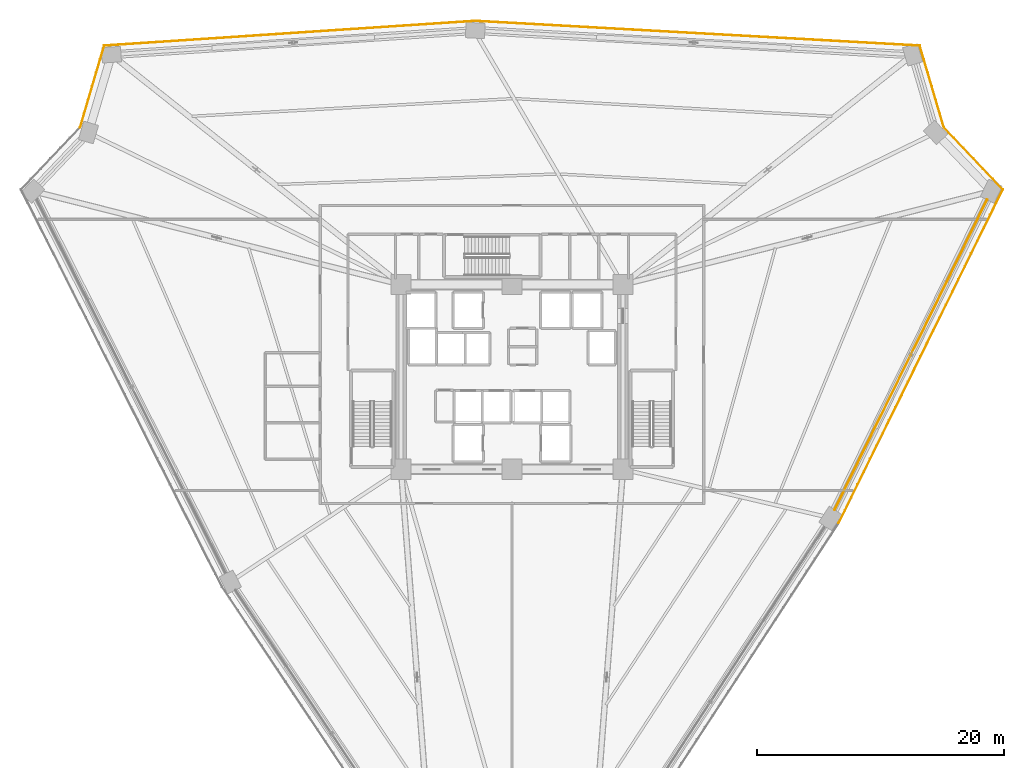
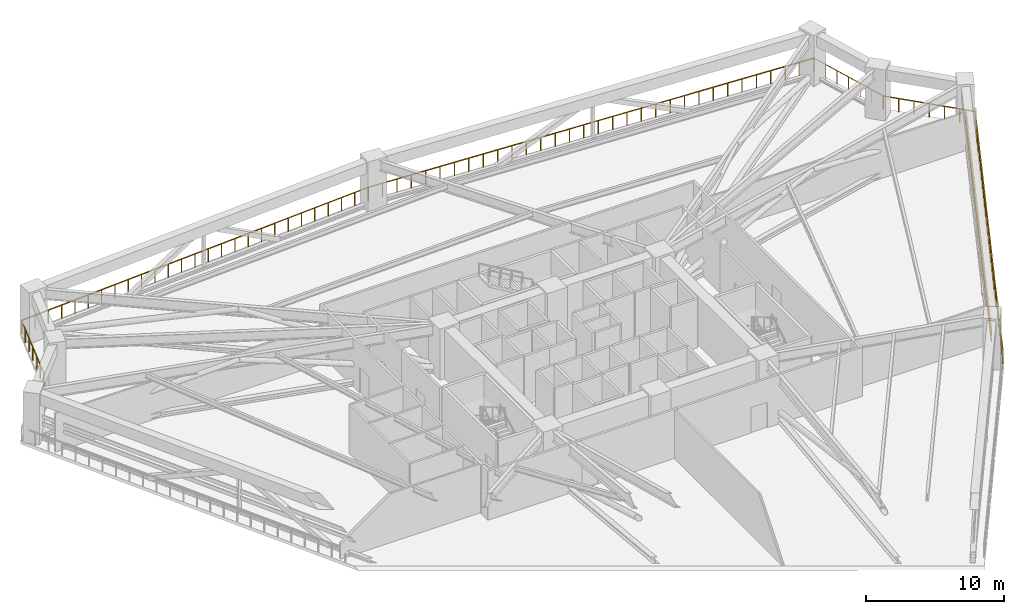
# One storey, part 25 of 25: 6 railings, 2 shading devices.
"""IFC4 building model written with IfcOpenShell, lengths in metres."""

from ifc_helpers import new_model, si_unit, direction, frame, origin, origin_2d, place, context, subcontext, project, spatial, rectangle, extrude, source, transform, mapped, material, material_profile, profile_set, type_object, element, save


model = new_model("IFC4")

# Units and contexts
model_context = context("Model", 3, precision=1e-05, world=origin(), true_north=direction((0.0, 1.0)))
body_context = subcontext(model_context, "Body", "Model", "MODEL_VIEW")
ifc_project = project(units=[si_unit("LENGTHUNIT", "METRE"), si_unit("AREAUNIT", "SQUARE_METRE"), si_unit("VOLUMEUNIT", "CUBIC_METRE"), si_unit("PLANEANGLEUNIT", "RADIAN"), si_unit("MASSUNIT", "GRAM", prefix="KILO")], contexts=[model_context])

# Site, building, storey
site_placement = place(None, origin())
site = spatial("IfcSite", under=ifc_project, at=site_placement, CompositionType="ELEMENT")
building_placement = place(site_placement, origin())
building = spatial("IfcBuilding", under=site, at=building_placement, Name="Liaohun Quay Tower", CompositionType="ELEMENT")
storey_placement = place(building_placement, frame((0.0, 0.0, 47.25)))
storey = spatial("IfcBuildingStorey", under=building, at=storey_placement, Name="L12", CompositionType="ELEMENT", Elevation=47.25)

# Railings
ifc_material_1 = material(Name="Galvanised and powder-coated steel", Category="steel")
railing_type = type_object("IfcRailingType", Name="RLG-GUARD-EXT", PredefinedType="GUARDRAIL", material=ifc_material_1)
railing_1_placement = place(storey_placement, frame((24.9541015625, 74.23388671875, 0.0)))
element("IfcRailing", 1, at=railing_1_placement, inside=storey, type_object=railing_type, Name="L12 Open Refuge Band Perimeter Guardrail 04", PredefinedType="GUARDRAIL", context=body_context, shape_type="SweptSolid", body=[
    extrude(rectangle(XDim=0.048095703125, YDim=0.048095703125, at=origin_2d()), frame((0.0, 0.0, 1.17578125), z_axis=(0.282772994679, 0.959186860565, 0.0), x_axis=(-0.959186860565, 0.282772994679, 0.0)), (0.0, 0.0, 1.0), 6.927734375),
    extrude(rectangle(XDim=0.0419921875, YDim=0.0419921875, at=origin_2d()), origin(), (0.0, 0.0, 1.0), 1.15185546875),
    extrude(rectangle(XDim=0.0419921875, YDim=0.0419921875, at=origin_2d()), frame((0.326416015625, 1.107421875, 0.0)), (0.0, 0.0, 1.0), 1.15185546875),
    extrude(rectangle(XDim=0.0419921875, YDim=0.0419921875, at=origin_2d()), frame((0.653076171875, 2.215087890625, 0.0)), (0.0, 0.0, 1.0), 1.15185546875),
    extrude(rectangle(XDim=0.0419921875, YDim=0.0419921875, at=origin_2d()), frame((0.9794921875, 3.322509765625, 0.0)), (0.0, 0.0, 1.0), 1.15185546875),
    extrude(rectangle(XDim=0.0419921875, YDim=0.0419921875, at=origin_2d()), frame((1.305908203125, 4.429931640625, 0.0)), (0.0, 0.0, 1.0), 1.15185546875),
    extrude(rectangle(XDim=0.0419921875, YDim=0.0419921875, at=origin_2d()), frame((1.632568359375, 5.53759765625, 0.0)), (0.0, 0.0, 1.0), 1.15185546875),
    extrude(rectangle(XDim=0.0419921875, YDim=0.0419921875, at=origin_2d()), frame((1.958984375, 6.64501953125, 0.0)), (0.0, 0.0, 1.0), 1.15185546875),
])
railing_2_placement = place(storey_placement, frame((26.9130859375, 80.87890625, 0.0)))
element("IfcRailing", 2, at=railing_2_placement, inside=storey, type_object=railing_type, Name="L12 Open Refuge Band Perimeter Guardrail 05", PredefinedType="GUARDRAIL", context=body_context, shape_type="SweptSolid", body=[
    extrude(rectangle(XDim=0.048095703125, YDim=0.048095703125, at=origin_2d()), frame((0.0, 0.0, 1.17578125), z_axis=(0.997791276332, 0.066427169703, 0.0), x_axis=(-0.066427169703, 0.997791276332, 0.0)), (0.0, 0.0, 1.0), 30.170654296875),
    extrude(rectangle(XDim=0.0419921875, YDim=0.0419921875, at=origin_2d()), origin(), (0.0, 0.0, 1.0), 1.15185546875),
    extrude(rectangle(XDim=0.0419921875, YDim=0.0419921875, at=origin_2d()), frame((1.157958984375, 0.0771484375, 0.0)), (0.0, 0.0, 1.0), 1.15185546875),
    extrude(rectangle(XDim=0.0419921875, YDim=0.0419921875, at=origin_2d()), frame((2.315673828125, 0.154052734375, 0.0)), (0.0, 0.0, 1.0), 1.15185546875),
    extrude(rectangle(XDim=0.0419921875, YDim=0.0419921875, at=origin_2d()), frame((3.4736328125, 0.231201171875, 0.0)), (0.0, 0.0, 1.0), 1.15185546875),
    extrude(rectangle(XDim=0.0419921875, YDim=0.0419921875, at=origin_2d()), frame((4.63134765625, 0.308349609375, 0.0)), (0.0, 0.0, 1.0), 1.15185546875),
    extrude(rectangle(XDim=0.0419921875, YDim=0.0419921875, at=origin_2d()), frame((5.789306640625, 0.385498046875, 0.0)), (0.0, 0.0, 1.0), 1.15185546875),
    extrude(rectangle(XDim=0.0419921875, YDim=0.0419921875, at=origin_2d()), frame((6.947021484375, 0.46240234375, 0.0)), (0.0, 0.0, 1.0), 1.15185546875),
    extrude(rectangle(XDim=0.0419921875, YDim=0.0419921875, at=origin_2d()), frame((8.10498046875, 0.53955078125, 0.0)), (0.0, 0.0, 1.0), 1.15185546875),
    extrude(rectangle(XDim=0.0419921875, YDim=0.0419921875, at=origin_2d()), frame((9.2626953125, 0.61669921875, 0.0)), (0.0, 0.0, 1.0), 1.15185546875),
    extrude(rectangle(XDim=0.0419921875, YDim=0.0419921875, at=origin_2d()), frame((10.420654296875, 0.69384765625, 0.0)), (0.0, 0.0, 1.0), 1.15185546875),
    extrude(rectangle(XDim=0.0419921875, YDim=0.0419921875, at=origin_2d()), frame((11.578369140625, 0.770751953125, 0.0)), (0.0, 0.0, 1.0), 1.15185546875),
    extrude(rectangle(XDim=0.0419921875, YDim=0.0419921875, at=origin_2d()), frame((12.736328125, 0.847900390625, 0.0)), (0.0, 0.0, 1.0), 1.15185546875),
    extrude(rectangle(XDim=0.0419921875, YDim=0.0419921875, at=origin_2d()), frame((13.89404296875, 0.925048828125, 0.0)), (0.0, 0.0, 1.0), 1.15185546875),
    extrude(rectangle(XDim=0.0419921875, YDim=0.0419921875, at=origin_2d()), frame((15.052001953125, 1.001953125, 0.0)), (0.0, 0.0, 1.0), 1.15185546875),
    extrude(rectangle(XDim=0.0419921875, YDim=0.0419921875, at=origin_2d()), frame((16.2099609375, 1.0791015625, 0.0)), (0.0, 0.0, 1.0), 1.15185546875),
    extrude(rectangle(XDim=0.0419921875, YDim=0.0419921875, at=origin_2d()), frame((17.36767578125, 1.15625, 0.0)), (0.0, 0.0, 1.0), 1.15185546875),
    extrude(rectangle(XDim=0.0419921875, YDim=0.0419921875, at=origin_2d()), frame((18.525634765625, 1.2333984375, 0.0)), (0.0, 0.0, 1.0), 1.15185546875),
    extrude(rectangle(XDim=0.0419921875, YDim=0.0419921875, at=origin_2d()), frame((19.683349609375, 1.310302734375, 0.0)), (0.0, 0.0, 1.0), 1.15185546875),
    extrude(rectangle(XDim=0.0419921875, YDim=0.0419921875, at=origin_2d()), frame((20.84130859375, 1.387451171875, 0.0)), (0.0, 0.0, 1.0), 1.15185546875),
    extrude(rectangle(XDim=0.0419921875, YDim=0.0419921875, at=origin_2d()), frame((21.9990234375, 1.464599609375, 0.0)), (0.0, 0.0, 1.0), 1.15185546875),
    extrude(rectangle(XDim=0.0419921875, YDim=0.0419921875, at=origin_2d()), frame((23.156982421875, 1.541748046875, 0.0)), (0.0, 0.0, 1.0), 1.15185546875),
    extrude(rectangle(XDim=0.0419921875, YDim=0.0419921875, at=origin_2d()), frame((24.314697265625, 1.61865234375, 0.0)), (0.0, 0.0, 1.0), 1.15185546875),
    extrude(rectangle(XDim=0.0419921875, YDim=0.0419921875, at=origin_2d()), frame((25.47265625, 1.69580078125, 0.0)), (0.0, 0.0, 1.0), 1.15185546875),
    extrude(rectangle(XDim=0.0419921875, YDim=0.0419921875, at=origin_2d()), frame((26.63037109375, 1.77294921875, 0.0)), (0.0, 0.0, 1.0), 1.15185546875),
    extrude(rectangle(XDim=0.0419921875, YDim=0.0419921875, at=origin_2d()), frame((27.788330078125, 1.85009765625, 0.0)), (0.0, 0.0, 1.0), 1.15185546875),
    extrude(rectangle(XDim=0.0419921875, YDim=0.0419921875, at=origin_2d()), frame((28.946044921875, 1.927001953125, 0.0)), (0.0, 0.0, 1.0), 1.15185546875),
    extrude(rectangle(XDim=0.0419921875, YDim=0.0419921875, at=origin_2d()), frame((30.10400390625, 2.004150390625, 0.0)), (0.0, 0.0, 1.0), 1.15185546875),
])
railing_3_placement = place(storey_placement, frame((57.01708984375, 82.883056640625, 0.0)))
element("IfcRailing", 3, at=railing_3_placement, inside=storey, type_object=railing_type, Name="L12 Open Refuge Band Perimeter Guardrail 06", PredefinedType="GUARDRAIL", context=body_context, shape_type="SweptSolid", body=[
    extrude(rectangle(XDim=0.048095703125, YDim=0.048095703125, at=origin_2d()), frame((0.0, 0.0, 1.17578125), z_axis=(0.998458439543, -0.05550445482, 0.0), x_axis=(0.05550445482, 0.998458439543, 0.0)), (0.0, 0.0, 1.0), 36.12548828125),
    extrude(rectangle(XDim=0.0419921875, YDim=0.0419921875, at=origin_2d()), origin(), (0.0, 0.0, 1.0), 1.15185546875),
    extrude(rectangle(XDim=0.0419921875, YDim=0.0419921875, at=origin_2d()), frame((1.16357421875, -0.064697265625, 0.0)), (0.0, 0.0, 1.0), 1.15185546875),
    extrude(rectangle(XDim=0.0419921875, YDim=0.0419921875, at=origin_2d()), frame((2.3271484375, -0.12939453125, 0.0)), (0.0, 0.0, 1.0), 1.15185546875),
    extrude(rectangle(XDim=0.0419921875, YDim=0.0419921875, at=origin_2d()), frame((3.49072265625, -0.194091796875, 0.0)), (0.0, 0.0, 1.0), 1.15185546875),
    extrude(rectangle(XDim=0.0419921875, YDim=0.0419921875, at=origin_2d()), frame((4.654052734375, -0.2587890625, 0.0)), (0.0, 0.0, 1.0), 1.15185546875),
    extrude(rectangle(XDim=0.0419921875, YDim=0.0419921875, at=origin_2d()), frame((5.817626953125, -0.323486328125, 0.0)), (0.0, 0.0, 1.0), 1.15185546875),
    extrude(rectangle(XDim=0.0419921875, YDim=0.0419921875, at=origin_2d()), frame((6.981201171875, -0.38818359375, 0.0)), (0.0, 0.0, 1.0), 1.15185546875),
    extrude(rectangle(XDim=0.0419921875, YDim=0.0419921875, at=origin_2d()), frame((8.144775390625, -0.452880859375, 0.0)), (0.0, 0.0, 1.0), 1.15185546875),
    extrude(rectangle(XDim=0.0419921875, YDim=0.0419921875, at=origin_2d()), frame((9.308349609375, -0.517333984375, 0.0)), (0.0, 0.0, 1.0), 1.15185546875),
    extrude(rectangle(XDim=0.0419921875, YDim=0.0419921875, at=origin_2d()), frame((10.471923828125, -0.58203125, 0.0)), (0.0, 0.0, 1.0), 1.15185546875),
    extrude(rectangle(XDim=0.0419921875, YDim=0.0419921875, at=origin_2d()), frame((11.635498046875, -0.646728515625, 0.0)), (0.0, 0.0, 1.0), 1.15185546875),
    extrude(rectangle(XDim=0.0419921875, YDim=0.0419921875, at=origin_2d()), frame((12.799072265625, -0.71142578125, 0.0)), (0.0, 0.0, 1.0), 1.15185546875),
    extrude(rectangle(XDim=0.0419921875, YDim=0.0419921875, at=origin_2d()), frame((13.96240234375, -0.776123046875, 0.0)), (0.0, 0.0, 1.0), 1.15185546875),
    extrude(rectangle(XDim=0.0419921875, YDim=0.0419921875, at=origin_2d()), frame((15.1259765625, -0.8408203125, 0.0)), (0.0, 0.0, 1.0), 1.15185546875),
    extrude(rectangle(XDim=0.0419921875, YDim=0.0419921875, at=origin_2d()), frame((16.28955078125, -0.905517578125, 0.0)), (0.0, 0.0, 1.0), 1.15185546875),
    extrude(rectangle(XDim=0.0419921875, YDim=0.0419921875, at=origin_2d()), frame((17.453125, -0.97021484375, 0.0)), (0.0, 0.0, 1.0), 1.15185546875),
    extrude(rectangle(XDim=0.0419921875, YDim=0.0419921875, at=origin_2d()), frame((18.61669921875, -1.034912109375, 0.0)), (0.0, 0.0, 1.0), 1.15185546875),
    extrude(rectangle(XDim=0.0419921875, YDim=0.0419921875, at=origin_2d()), frame((19.7802734375, -1.099609375, 0.0)), (0.0, 0.0, 1.0), 1.15185546875),
    extrude(rectangle(XDim=0.0419921875, YDim=0.0419921875, at=origin_2d()), frame((20.94384765625, -1.164306640625, 0.0)), (0.0, 0.0, 1.0), 1.15185546875),
    extrude(rectangle(XDim=0.0419921875, YDim=0.0419921875, at=origin_2d()), frame((22.107421875, -1.22900390625, 0.0)), (0.0, 0.0, 1.0), 1.15185546875),
    extrude(rectangle(XDim=0.0419921875, YDim=0.0419921875, at=origin_2d()), frame((23.270751953125, -1.293701171875, 0.0)), (0.0, 0.0, 1.0), 1.15185546875),
    extrude(rectangle(XDim=0.0419921875, YDim=0.0419921875, at=origin_2d()), frame((24.434326171875, -1.3583984375, 0.0)), (0.0, 0.0, 1.0), 1.15185546875),
    extrude(rectangle(XDim=0.0419921875, YDim=0.0419921875, at=origin_2d()), frame((25.597900390625, -1.423095703125, 0.0)), (0.0, 0.0, 1.0), 1.15185546875),
    extrude(rectangle(XDim=0.0419921875, YDim=0.0419921875, at=origin_2d()), frame((26.761474609375, -1.48779296875, 0.0)), (0.0, 0.0, 1.0), 1.15185546875),
    extrude(rectangle(XDim=0.0419921875, YDim=0.0419921875, at=origin_2d()), frame((27.925048828125, -1.55224609375, 0.0)), (0.0, 0.0, 1.0), 1.15185546875),
    extrude(rectangle(XDim=0.0419921875, YDim=0.0419921875, at=origin_2d()), frame((29.088623046875, -1.616943359375, 0.0)), (0.0, 0.0, 1.0), 1.15185546875),
    extrude(rectangle(XDim=0.0419921875, YDim=0.0419921875, at=origin_2d()), frame((30.252197265625, -1.681640625, 0.0)), (0.0, 0.0, 1.0), 1.15185546875),
    extrude(rectangle(XDim=0.0419921875, YDim=0.0419921875, at=origin_2d()), frame((31.415771484375, -1.746337890625, 0.0)), (0.0, 0.0, 1.0), 1.15185546875),
    extrude(rectangle(XDim=0.0419921875, YDim=0.0419921875, at=origin_2d()), frame((32.5791015625, -1.81103515625, 0.0)), (0.0, 0.0, 1.0), 1.15185546875),
    extrude(rectangle(XDim=0.0419921875, YDim=0.0419921875, at=origin_2d()), frame((33.74267578125, -1.875732421875, 0.0)), (0.0, 0.0, 1.0), 1.15185546875),
    extrude(rectangle(XDim=0.0419921875, YDim=0.0419921875, at=origin_2d()), frame((34.90625, -1.9404296875, 0.0)), (0.0, 0.0, 1.0), 1.15185546875),
    extrude(rectangle(XDim=0.0419921875, YDim=0.0419921875, at=origin_2d()), frame((36.06982421875, -2.005126953125, 0.0)), (0.0, 0.0, 1.0), 1.15185546875),
])
railing_4_placement = place(storey_placement, frame((93.0869140625, 80.8779296875, 0.0)))
element("IfcRailing", 4, at=railing_4_placement, inside=storey, type_object=railing_type, Name="L12 Open Refuge Band Perimeter Guardrail 07", PredefinedType="GUARDRAIL", context=body_context, shape_type="SweptSolid", body=[
    extrude(rectangle(XDim=0.048095703125, YDim=0.048095703125, at=origin_2d()), frame((0.0, 0.0, 1.17578125), z_axis=(0.282811233485, -0.959175586749, 0.0), x_axis=(0.959175586749, 0.282811233485, 0.0)), (0.0, 0.0, 1.0), 6.9267578125),
    extrude(rectangle(XDim=0.0419921875, YDim=0.0419921875, at=origin_2d()), origin(), (0.0, 0.0, 1.0), 1.15185546875),
    extrude(rectangle(XDim=0.0419921875, YDim=0.0419921875, at=origin_2d()), frame((0.326416015625, -1.107421875, 0.0)), (0.0, 0.0, 1.0), 1.15185546875),
    extrude(rectangle(XDim=0.0419921875, YDim=0.0419921875, at=origin_2d()), frame((0.653076171875, -2.214599609375, 0.0)), (0.0, 0.0, 1.0), 1.15185546875),
    extrude(rectangle(XDim=0.0419921875, YDim=0.0419921875, at=origin_2d()), frame((0.9794921875, -3.322021484375, 0.0)), (0.0, 0.0, 1.0), 1.15185546875),
    extrude(rectangle(XDim=0.0419921875, YDim=0.0419921875, at=origin_2d()), frame((1.305908203125, -4.429443359375, 0.0)), (0.0, 0.0, 1.0), 1.15185546875),
    extrude(rectangle(XDim=0.0419921875, YDim=0.0419921875, at=origin_2d()), frame((1.632568359375, -5.53662109375, 0.0)), (0.0, 0.0, 1.0), 1.15185546875),
    extrude(rectangle(XDim=0.0419921875, YDim=0.0419921875, at=origin_2d()), frame((1.958984375, -6.64404296875, 0.0)), (0.0, 0.0, 1.0), 1.15185546875),
])
railing_5_placement = place(storey_placement, frame((95.0458984375, 74.23388671875, 0.0)))
element("IfcRailing", 5, at=railing_5_placement, inside=storey, type_object=railing_type, Name="L12 Open Refuge Band Perimeter Guardrail 08", PredefinedType="GUARDRAIL", context=body_context, shape_type="SweptSolid", body=[
    extrude(rectangle(XDim=0.048095703125, YDim=0.048095703125, at=origin_2d()), frame((0.0, 0.0, 1.17578125), z_axis=(0.689376186011, -0.72440352992, 0.0), x_axis=(0.72440352992, 0.689376186011, 0.0)), (0.0, 0.0, 1.0), 6.92822265625),
    extrude(rectangle(XDim=0.0419921875, YDim=0.0419921875, at=origin_2d()), origin(), (0.0, 0.0, 1.0), 1.15185546875),
    extrude(rectangle(XDim=0.0419921875, YDim=0.0419921875, at=origin_2d()), frame((0.7958984375, -0.83642578125, 0.0)), (0.0, 0.0, 1.0), 1.15185546875),
    extrude(rectangle(XDim=0.0419921875, YDim=0.0419921875, at=origin_2d()), frame((1.592041015625, -1.6728515625, 0.0)), (0.0, 0.0, 1.0), 1.15185546875),
    extrude(rectangle(XDim=0.0419921875, YDim=0.0419921875, at=origin_2d()), frame((2.38818359375, -2.50927734375, 0.0)), (0.0, 0.0, 1.0), 1.15185546875),
    extrude(rectangle(XDim=0.0419921875, YDim=0.0419921875, at=origin_2d()), frame((3.18408203125, -3.345947265625, 0.0)), (0.0, 0.0, 1.0), 1.15185546875),
    extrude(rectangle(XDim=0.0419921875, YDim=0.0419921875, at=origin_2d()), frame((3.97998046875, -4.182373046875, 0.0)), (0.0, 0.0, 1.0), 1.15185546875),
    extrude(rectangle(XDim=0.0419921875, YDim=0.0419921875, at=origin_2d()), frame((4.776123046875, -5.018798828125, 0.0)), (0.0, 0.0, 1.0), 1.15185546875),
])
railing_6_placement = place(storey_placement, frame((99.822021484375, 69.215087890625, 0.0)))
element("IfcRailing", 6, at=railing_6_placement, inside=storey, type_object=railing_type, Name="L12 Open Refuge Band Perimeter Guardrail 09", PredefinedType="GUARDRAIL", context=body_context, shape_type="SweptSolid", body=[
    extrude(rectangle(XDim=0.048095703125, YDim=0.048095703125, at=origin_2d()), frame((0.0, 0.0, 1.17578125), z_axis=(-0.441413758091, -0.897303680015, 0.0), x_axis=(0.897303680015, -0.441413758091, 0.0)), (0.0, 0.0, 1.0), 30.17138671875),
    extrude(rectangle(XDim=0.0419921875, YDim=0.0419921875, at=origin_2d()), origin(), (0.0, 0.0, 1.0), 1.15185546875),
    extrude(rectangle(XDim=0.0419921875, YDim=0.0419921875, at=origin_2d()), frame((-0.51220703125, -1.041259765625, 0.0)), (0.0, 0.0, 1.0), 1.15185546875),
    extrude(rectangle(XDim=0.0419921875, YDim=0.0419921875, at=origin_2d()), frame((-1.0244140625, -2.08251953125, 0.0)), (0.0, 0.0, 1.0), 1.15185546875),
    extrude(rectangle(XDim=0.0419921875, YDim=0.0419921875, at=origin_2d()), frame((-1.53662109375, -3.123779296875, 0.0)), (0.0, 0.0, 1.0), 1.15185546875),
    extrude(rectangle(XDim=0.0419921875, YDim=0.0419921875, at=origin_2d()), frame((-2.048828125, -4.1650390625, 0.0)), (0.0, 0.0, 1.0), 1.15185546875),
    extrude(rectangle(XDim=0.0419921875, YDim=0.0419921875, at=origin_2d()), frame((-2.561279296875, -5.206298828125, 0.0)), (0.0, 0.0, 1.0), 1.15185546875),
    extrude(rectangle(XDim=0.0419921875, YDim=0.0419921875, at=origin_2d()), frame((-3.073486328125, -6.24755859375, 0.0)), (0.0, 0.0, 1.0), 1.15185546875),
    extrude(rectangle(XDim=0.0419921875, YDim=0.0419921875, at=origin_2d()), frame((-3.585693359375, -7.288818359375, 0.0)), (0.0, 0.0, 1.0), 1.15185546875),
    extrude(rectangle(XDim=0.0419921875, YDim=0.0419921875, at=origin_2d()), frame((-4.097900390625, -8.330078125, 0.0)), (0.0, 0.0, 1.0), 1.15185546875),
    extrude(rectangle(XDim=0.0419921875, YDim=0.0419921875, at=origin_2d()), frame((-4.610107421875, -9.371337890625, 0.0)), (0.0, 0.0, 1.0), 1.15185546875),
    extrude(rectangle(XDim=0.0419921875, YDim=0.0419921875, at=origin_2d()), frame((-5.122314453125, -10.41259765625, 0.0)), (0.0, 0.0, 1.0), 1.15185546875),
    extrude(rectangle(XDim=0.0419921875, YDim=0.0419921875, at=origin_2d()), frame((-5.634521484375, -11.453857421875, 0.0)), (0.0, 0.0, 1.0), 1.15185546875),
    extrude(rectangle(XDim=0.0419921875, YDim=0.0419921875, at=origin_2d()), frame((-6.146728515625, -12.4951171875, 0.0)), (0.0, 0.0, 1.0), 1.15185546875),
    extrude(rectangle(XDim=0.0419921875, YDim=0.0419921875, at=origin_2d()), frame((-6.6591796875, -13.53662109375, 0.0)), (0.0, 0.0, 1.0), 1.15185546875),
    extrude(rectangle(XDim=0.0419921875, YDim=0.0419921875, at=origin_2d()), frame((-7.17138671875, -14.577880859375, 0.0)), (0.0, 0.0, 1.0), 1.15185546875),
    extrude(rectangle(XDim=0.0419921875, YDim=0.0419921875, at=origin_2d()), frame((-7.68359375, -15.619140625, 0.0)), (0.0, 0.0, 1.0), 1.15185546875),
    extrude(rectangle(XDim=0.0419921875, YDim=0.0419921875, at=origin_2d()), frame((-8.19580078125, -16.660400390625, 0.0)), (0.0, 0.0, 1.0), 1.15185546875),
    extrude(rectangle(XDim=0.0419921875, YDim=0.0419921875, at=origin_2d()), frame((-8.7080078125, -17.70166015625, 0.0)), (0.0, 0.0, 1.0), 1.15185546875),
    extrude(rectangle(XDim=0.0419921875, YDim=0.0419921875, at=origin_2d()), frame((-9.22021484375, -18.742919921875, 0.0)), (0.0, 0.0, 1.0), 1.15185546875),
    extrude(rectangle(XDim=0.0419921875, YDim=0.0419921875, at=origin_2d()), frame((-9.732421875, -19.7841796875, 0.0)), (0.0, 0.0, 1.0), 1.15185546875),
    extrude(rectangle(XDim=0.0419921875, YDim=0.0419921875, at=origin_2d()), frame((-10.24462890625, -20.825439453125, 0.0)), (0.0, 0.0, 1.0), 1.15185546875),
    extrude(rectangle(XDim=0.0419921875, YDim=0.0419921875, at=origin_2d()), frame((-10.7568359375, -21.86669921875, 0.0)), (0.0, 0.0, 1.0), 1.15185546875),
    extrude(rectangle(XDim=0.0419921875, YDim=0.0419921875, at=origin_2d()), frame((-11.269287109375, -22.907958984375, 0.0)), (0.0, 0.0, 1.0), 1.15185546875),
    extrude(rectangle(XDim=0.0419921875, YDim=0.0419921875, at=origin_2d()), frame((-11.781494140625, -23.94921875, 0.0)), (0.0, 0.0, 1.0), 1.15185546875),
    extrude(rectangle(XDim=0.0419921875, YDim=0.0419921875, at=origin_2d()), frame((-12.293701171875, -24.990478515625, 0.0)), (0.0, 0.0, 1.0), 1.15185546875),
    extrude(rectangle(XDim=0.0419921875, YDim=0.0419921875, at=origin_2d()), frame((-12.805908203125, -26.03173828125, 0.0)), (0.0, 0.0, 1.0), 1.15185546875),
    extrude(rectangle(XDim=0.0419921875, YDim=0.0419921875, at=origin_2d()), frame((-13.318115234375, -27.072998046875, 0.0)), (0.0, 0.0, 1.0), 1.15185546875),
])

# Shading devices
ifc_material_2 = material(Name="Fluorocarbon-coated aluminium", Category="aluminium")
ifc_material_profile = material_profile(ifc_material_2, rectangle(XDim=0.06494140625, YDim=0.320068359375, at=origin_2d()), Name="ALU-LVR-320x65")
ifc_profile_set = profile_set([ifc_material_profile], Name="Fluorocarbon-coated aluminium")
shading_device_type = type_object("IfcShadingDeviceType", Name="SHD-LVR-REF", PredefinedType="USERDEFINED", material=ifc_profile_set)
shared_shape = source(origin(), body_context, "Body", "SweptSolid", [
    extrude(rectangle(XDim=0.06494140625, YDim=0.320068359375, at=origin_2d()), origin(), (0.0, 0.0, 1.0), 28.057861328125),
])
for number, where, z_axis, x_axis, name in (
    (7, (98.555908203125, 68.386962890625, 1.550048828125), (-0.441367208162, -0.897326577985, 0.0), (0.897326577985, -0.441367208162, 0.0), "L12 Refuge Plant Acoustic Louvre Blade LV-1-05"),
    (8, (98.555908203125, 68.386962890625, 2.14990234375), (-0.441367208162, -0.897326577985, 0.0), (0.897326577985, -0.441367208162, 0.0), "L12 Refuge Plant Acoustic Louvre Blade LV-1-06"),
):
    element("IfcShadingDevice", number, at=place(storey_placement, frame(where, z_axis=z_axis, x_axis=x_axis)), inside=storey, type_object=shading_device_type, Name=name, ObjectType="LOUVRE", PredefinedType="USERDEFINED", context=body_context, shape_type="MappedRepresentation", body=[
        mapped(shared_shape, transform((0.0, 0.0, 0.0), x_axis=(1.0, 0.0, 0.0), y_axis=(0.0, 1.0, 0.0), z_axis=(0.0, 0.0, 1.0), scale=1.0)),
    ])

save(model, "model.ifc")
